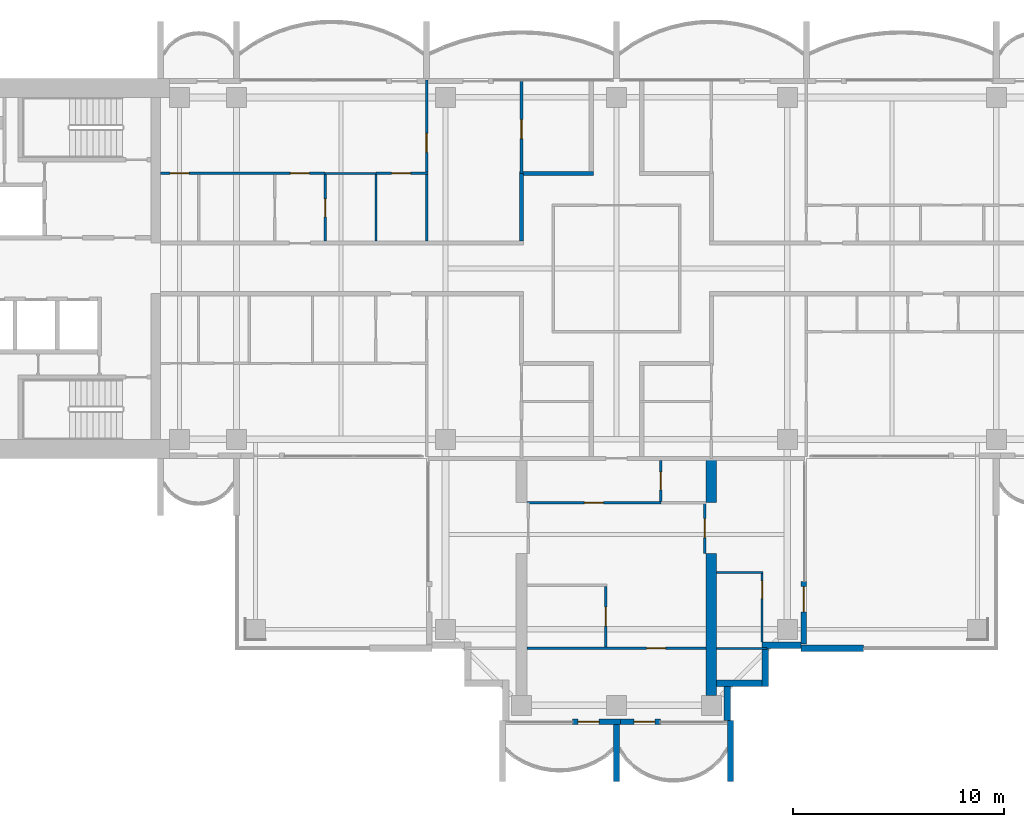
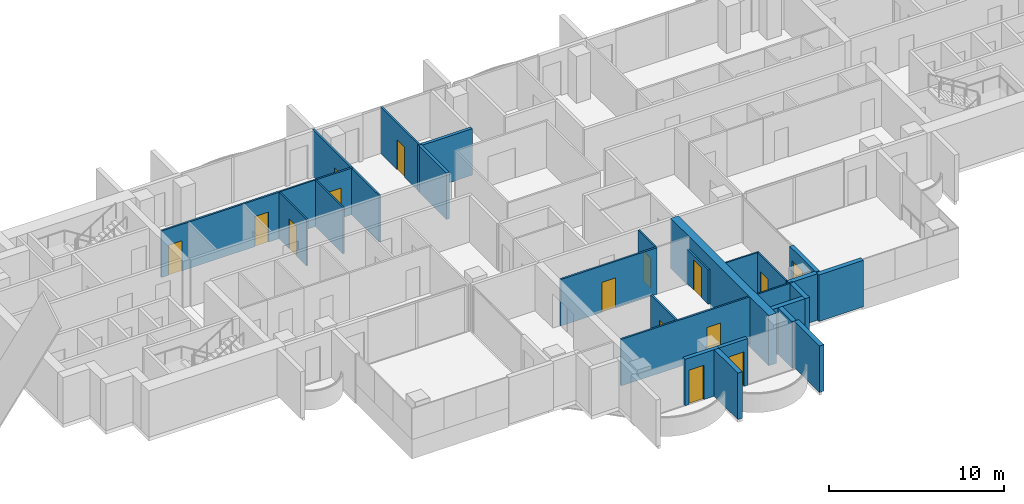
# One storey, part 10 of 17: 28 walls, 15 doors, 15 openings.
"""IFC4 building model written with IfcOpenShell, lengths in metres."""

from ifc_helpers import new_model, si_unit, direction, frame, frame_2d, origin, place, context, subcontext, project, spatial, polyline, rectangle, outline, extrude, material, layer, layer_set, material_profile, profile_set, type_object, element, fill, save


model = new_model("IFC4")

# Units and contexts
model_context = context("Model", 3, precision=1e-05, world=origin(), true_north=direction((0.0, 1.0)))
body_context = subcontext(model_context, "Body", "Model", "MODEL_VIEW")
ifc_project = project(units=[si_unit("LENGTHUNIT", "METRE"), si_unit("AREAUNIT", "SQUARE_METRE"), si_unit("VOLUMEUNIT", "CUBIC_METRE"), si_unit("PLANEANGLEUNIT", "RADIAN"), si_unit("MASSUNIT", "GRAM", prefix="KILO")], contexts=[model_context])

# Site, building, storey
site_placement = place(None, origin())
site = spatial("IfcSite", under=ifc_project, at=site_placement, CompositionType="ELEMENT")
building_placement = place(site_placement, origin())
building = spatial("IfcBuilding", under=site, at=building_placement, Name="Perihelion Cross Residences", CompositionType="ELEMENT")
storey_placement = place(building_placement, frame((0.0, 0.0, 191.10009765625)))
storey = spatial("IfcBuildingStorey", under=building, at=storey_placement, Name="L47", CompositionType="ELEMENT", Elevation=191.10009765625)

# Walls
ifc_material_1 = material(Name="Plasterboard partition")
ifc_layer_1 = layer(ifc_material_1, 0.199951171875)
ifc_layer_set_1 = layer_set([ifc_layer_1], Name="Apartment separation wall 200")
wall_type_1 = type_object("IfcWallType", Name="Apartment separation wall 200", PredefinedType="PARTITIONING", material=ifc_layer_set_1)
wall_1_placement = place(storey_placement, frame((-4.5, 1.300048828125, 0.0), z_axis=(0.0, 0.0, 1.0), x_axis=(0.0, 1.0, 0.0)))
element("IfcWall", 1, at=wall_1_placement, inside=storey, type_object=wall_type_1, Name="Partition L47 W014", PredefinedType="PARTITIONING", context=body_context, shape_type="SweptSolid", body=[
    extrude(rectangle(XDim=3.199951171875, YDim=0.199951171875, at=frame_2d((1.60009765625, 0.0))), origin(), (0.0, 0.0, 1.0), 3.25),
])
wall_2_placement = place(storey_placement, frame((-4.60009765625, 4.5, 0.0), z_axis=(0.0, 0.0, 1.0), x_axis=(1.0, 0.0, 0.0)))
element("IfcWall", 2, at=wall_2_placement, inside=storey, type_object=wall_type_1, Name="Partition L47 W015", PredefinedType="PARTITIONING", context=body_context, shape_type="SweptSolid", body=[
    extrude(rectangle(XDim=3.5, YDim=0.199951171875, at=frame_2d((1.75, 0.0))), origin(), (0.0, 0.0, 1.0), 3.25),
])

# Wall, opening, door
ifc_material_2 = material(Name="Concrete C30/37, bronze-clad", Category="concrete")
ifc_layer_2 = layer(ifc_material_2, 0.25)
ifc_layer_set_2 = layer_set([ifc_layer_2], Name="Bronze-clad pier wall 250")
wall_type_2 = type_object("IfcWallType", Name="Bronze-clad pier wall 250", PredefinedType="SOLIDWALL", material=ifc_layer_set_2)
wall_3_placement = place(storey_placement, frame((-2.074951171875, -21.47509765625, 0.0), z_axis=(0.0, 0.0, 1.0), x_axis=(1.0, 0.0, 0.0)))
wall_3 = element("IfcWall", 3, at=wall_3_placement, inside=storey, type_object=wall_type_2, Name="Wall FW1 L47 south tip south bay 1 pier", PredefinedType="SOLIDWALL", context=body_context, shape_type="SweptSolid", body=[
    extrude(rectangle(XDim=2.27490234375, YDim=0.25, at=frame_2d((1.137451171875, 0.0))), origin(), (0.0, 0.0, 1.0), 3.25),
])
opening_1_placement = place(wall_3_placement, frame((0.25, 0.0, 0.0)))
opening_1 = element("IfcOpeningElement", 4, at=opening_1_placement, cuts=wall_3, Name="Opening L47.E10", PredefinedType="OPENING", context=body_context, shape_type="SweptSolid", body=[
    extrude(rectangle(XDim=1.0, YDim=2.39990234375, at=frame_2d((0.5, 1.199951171875))), frame((0.0, 0.135009765625, 0.0), z_axis=(0.0, -1.0, 0.0), x_axis=(1.0, 0.0, 0.0)), (0.0, 0.0, 1.0), 0.27001953125),
])
ifc_material_3 = material(Name="Bronze anodised aluminium, glazed", Category="aluminium")
door_type_1 = type_object("IfcDoorType", Name="Balcony door 1000 x 2400", OperationType="NOTDEFINED", PredefinedType="DOOR", material=ifc_material_3)
door_1_placement = place(opening_1_placement, origin())
door_1 = element("IfcDoor", 5, at=door_1_placement, inside=storey, type_object=door_type_1, Name="Door L47.E10 south tip south bay 1", OperationType="SINGLE_SWING_RIGHT", OverallHeight=2.39990234375, OverallWidth=1.0, PredefinedType="DOOR", context=body_context, shape_type="SweptSolid", body=[
    extrude(rectangle(XDim=1.0, YDim=2.39990234375, at=frame_2d((0.5, 1.199951171875))), frame((0.0, 0.02490234375, 0.0), z_axis=(0.0, -1.0, 0.0), x_axis=(1.0, 0.0, 0.0)), (0.0, 0.0, 1.0), 0.050048828125),
])
fill(opening_1, door_1)

wall_4_placement = place(storey_placement, frame((0.199951171875, -21.47509765625, 0.0), z_axis=(0.0, 0.0, 1.0), x_axis=(1.0, 0.0, 0.0)))
wall_4 = element("IfcWall", 6, at=wall_4_placement, inside=storey, type_object=wall_type_2, Name="Wall FW1 L47 south tip south bay 2 pier", PredefinedType="SOLIDWALL", context=body_context, shape_type="SweptSolid", body=[
    extrude(rectangle(XDim=1.875, YDim=0.25, at=frame_2d((0.9375, 0.0))), origin(), (0.0, 0.0, 1.0), 3.25),
])
opening_2_placement = place(wall_4_placement, frame((0.625, 0.0, 0.0)))
opening_2 = element("IfcOpeningElement", 7, at=opening_2_placement, cuts=wall_4, Name="Opening L47.E11", PredefinedType="OPENING", context=body_context, shape_type="SweptSolid", body=[
    extrude(rectangle(XDim=1.0, YDim=2.39990234375, at=frame_2d((0.5, 1.199951171875))), frame((0.0, 0.135009765625, 0.0), z_axis=(0.0, -1.0, 0.0), x_axis=(1.0, 0.0, 0.0)), (0.0, 0.0, 1.0), 0.27001953125),
])
door_2_placement = place(opening_2_placement, origin())
door_2 = element("IfcDoor", 8, at=door_2_placement, inside=storey, type_object=door_type_1, Name="Door L47.E11 south tip south bay 2", OperationType="SINGLE_SWING_LEFT", OverallHeight=2.39990234375, OverallWidth=1.0, PredefinedType="DOOR", context=body_context, shape_type="SweptSolid", body=[
    extrude(rectangle(XDim=1.0, YDim=2.39990234375, at=frame_2d((0.5, 1.199951171875))), frame((0.0, 0.02490234375, 0.0), z_axis=(0.0, -1.0, 0.0), x_axis=(1.0, 0.0, 0.0)), (0.0, 0.0, 1.0), 0.050048828125),
])
fill(opening_2, door_2)

wall_5_placement = place(storey_placement, frame((8.875, -17.800048828125, 0.0), z_axis=(0.0, 0.0, 1.0), x_axis=(0.0, 1.0, 0.0)))
wall_5 = element("IfcWall", 9, at=wall_5_placement, inside=storey, type_object=wall_type_2, Name="Wall FW1 L47 south side east bay 1 pier", PredefinedType="SOLIDWALL", context=body_context, shape_type="SweptSolid", body=[
    extrude(rectangle(XDim=2.97509765625, YDim=0.25, at=frame_2d((1.487548828125, 0.0))), origin(), (0.0, 0.0, 1.0), 3.25),
])
opening_3_placement = place(wall_5_placement, frame((1.52490234375, 0.0, 0.0)))
opening_3 = element("IfcOpeningElement", 10, at=opening_3_placement, cuts=wall_5, Name="Opening L47.E12", PredefinedType="OPENING", context=body_context, shape_type="SweptSolid", body=[
    extrude(rectangle(XDim=1.199951171875, YDim=2.39990234375, at=frame_2d((0.60009765625, 1.199951171875))), frame((0.0, 0.135009765625, 0.0), z_axis=(0.0, -1.0, 0.0), x_axis=(1.0, 0.0, 0.0)), (0.0, 0.0, 1.0), 0.27001953125),
])
ifc_material_4 = material(Name="Bronze anodised aluminium, glazed", Category="aluminium")
door_type_2 = type_object("IfcDoorType", Name="Balcony door 1200 x 2400", OperationType="NOTDEFINED", PredefinedType="DOOR", material=ifc_material_4)
door_3_placement = place(opening_3_placement, origin())
door_3 = element("IfcDoor", 11, at=door_3_placement, inside=storey, type_object=door_type_2, Name="Door L47.E12 south side east bay 1", OperationType="SINGLE_SWING_RIGHT", OverallHeight=2.39990234375, OverallWidth=1.199951171875, PredefinedType="DOOR", context=body_context, shape_type="SweptSolid", body=[
    extrude(rectangle(XDim=1.199951171875, YDim=2.39990234375, at=frame_2d((0.60009765625, 1.199951171875))), frame((0.0, 0.02490234375, 0.0), z_axis=(0.0, -1.0, 0.0), x_axis=(1.0, 0.0, 0.0)), (0.0, 0.0, 1.0), 0.050048828125),
])
fill(opening_3, door_3)

# Walls
ifc_material_5 = material(Name="Concrete C30/37, bronze-clad", Category="concrete")
ifc_layer_3 = layer(ifc_material_5, 0.300048828125)
ifc_layer_set_3 = layer_set([ifc_layer_3], Name="Bronze-clad serration wall 300")
wall_type_3 = type_object("IfcWallType", Name="Bronze-clad serration wall 300", PredefinedType="SOLIDWALL", material=ifc_layer_set_3)
wall_6_placement = place(storey_placement, frame((5.25, -21.419921875, 0.0), z_axis=(0.0, 0.0, 1.0), x_axis=(0.0, 1.0, 0.0)))
element("IfcWall", 12, at=wall_6_placement, inside=storey, type_object=wall_type_3, Name="Wall SR1 L47 south corner south-east 1", PredefinedType="SOLIDWALL", context=body_context, shape_type="SweptSolid", body=[
    extrude(rectangle(XDim=1.619873046875, YDim=0.300048828125, at=frame_2d((0.81005859375, 0.0))), origin(), (0.0, 0.0, 1.0), 3.25),
])
wall_7_placement = place(storey_placement, frame((4.75, -19.64990234375, 0.0), z_axis=(0.0, 0.0, 1.0), x_axis=(1.0, 0.0, 0.0)))
element("IfcWall", 13, at=wall_7_placement, inside=storey, type_object=wall_type_3, Name="Wall SR1 L47 south corner south-east 2", PredefinedType="SOLIDWALL", context=body_context, shape_type="SweptSolid", body=[
    extrude(rectangle(XDim=2.14990234375, YDim=0.300048828125, at=frame_2d((1.074951171875, 0.0))), origin(), (0.0, 0.0, 1.0), 3.25),
])
wall_8_placement = place(storey_placement, frame((7.050048828125, -19.800048828125, 0.0), z_axis=(0.0, 0.0, 1.0), x_axis=(0.0, 1.0, 0.0)))
element("IfcWall", 14, at=wall_8_placement, inside=storey, type_object=wall_type_3, Name="Wall SR1 L47 south corner south-east 3", PredefinedType="SOLIDWALL", context=body_context, shape_type="SweptSolid", body=[
    extrude(rectangle(XDim=1.800048828125, YDim=0.300048828125, at=frame_2d((0.89990234375, 0.0))), origin(), (0.0, 0.0, 1.0), 3.25),
])
wall_9_placement = place(storey_placement, frame((6.89990234375, -17.85009765625, 0.0), z_axis=(0.0, 0.0, 1.0), x_axis=(1.0, 0.0, 0.0)))
element("IfcWall", 15, at=wall_9_placement, inside=storey, type_object=wall_type_3, Name="Wall SR1 L47 south corner south-east 4", PredefinedType="SOLIDWALL", context=body_context, shape_type="SweptSolid", body=[
    extrude(rectangle(XDim=1.85009765625, YDim=0.300048828125, at=frame_2d((0.925048828125, 0.0))), origin(), (0.0, 0.0, 1.0), 3.25),
])

# Wall, opening, door
ifc_material_6 = material(Name="Plasterboard partition")
ifc_layer_4 = layer(ifc_material_6, 0.1201171875)
ifc_layer_set_4 = layer_set([ifc_layer_4], Name="Infill panel 120")
wall_type_4 = type_object("IfcWallType", Name="Infill panel 120", PredefinedType="PARTITIONING", material=ifc_layer_set_4)
wall_10_placement = place(storey_placement, frame((4.18994140625, -11.10009765625, 0.0), z_axis=(0.0, 0.0, 1.0), x_axis=(0.0, -1.0, 0.0)))
wall_10 = element("IfcWall", 16, at=wall_10_placement, inside=storey, type_object=wall_type_4, Name="Partition L47 WI01", PredefinedType="PARTITIONING", context=body_context, shape_type="SweptSolid", body=[
    extrude(rectangle(XDim=2.39990234375, YDim=0.1201171875, at=frame_2d((1.199951171875, 0.0))), origin(), (0.0, 0.0, 1.0), 2.39990234375),
])
opening_4_placement = place(wall_10_placement, frame((0.75, 0.0, 0.0)))
opening_4 = element("IfcOpeningElement", 17, at=opening_4_placement, cuts=wall_10, Name="Opening L47.A42", PredefinedType="OPENING", context=body_context, shape_type="SweptSolid", body=[
    extrude(rectangle(XDim=0.89990234375, YDim=2.10009765625, at=frame_2d((0.449951171875, 1.050048828125))), frame((0.0, 0.070068359375, 0.0), z_axis=(0.0, -1.0, 0.0), x_axis=(1.0, 0.0, 0.0)), (0.0, 0.0, 1.0), 0.14013671875),
])
ifc_material_7 = material(Name="Timber door leaf", Category="wood")
door_type_3 = type_object("IfcDoorType", Name="Interior room door 900 x 2100", OperationType="SINGLE_SWING_LEFT", PredefinedType="DOOR", material=ifc_material_7)
door_4_placement = place(opening_4_placement, origin())
door_4 = element("IfcDoor", 18, at=door_4_placement, inside=storey, type_object=door_type_3, Name="Door L47.A42", OperationType="SINGLE_SWING_LEFT", OverallHeight=2.10009765625, OverallWidth=0.89990234375, PredefinedType="DOOR", context=body_context, shape_type="SweptSolid", body=[
    extrude(rectangle(XDim=0.89990234375, YDim=2.10009765625, at=frame_2d((0.449951171875, 1.050048828125))), frame((0.0, 0.02490234375, 0.0), z_axis=(0.0, -1.0, 0.0), x_axis=(1.0, 0.0, 0.0)), (0.0, 0.0, 1.0), 0.050048828125),
])
fill(opening_4, door_4)

ifc_material_8 = material(Name="Plasterboard partition")
ifc_layer_5 = layer(ifc_material_8, 0.1201171875)
ifc_layer_set_5 = layer_set([ifc_layer_5], Name="Partition wall 120")
wall_type_5 = type_object("IfcWallType", Name="Partition wall 120", PredefinedType="PARTITIONING", material=ifc_layer_set_5)
wall_11_placement = place(storey_placement, frame((-11.39990234375, 4.5, 0.0), z_axis=(0.0, 0.0, 1.0), x_axis=(1.0, 0.0, 0.0)))
wall_11 = element("IfcWall", 19, at=wall_11_placement, inside=storey, type_object=wall_type_5, Name="Partition L47 W044", PredefinedType="PARTITIONING", context=body_context, shape_type="SweptSolid", body=[
    extrude(rectangle(XDim=2.4599609375, YDim=0.1201171875, at=frame_2d((1.22998046875, 0.0))), origin(), (0.0, 0.0, 1.0), 3.25),
])
opening_5_placement = place(wall_11_placement, frame((0.75, 0.0, 0.0)))
opening_5 = element("IfcOpeningElement", 20, at=opening_5_placement, cuts=wall_11, Name="Opening L47.A23", PredefinedType="OPENING", context=body_context, shape_type="SweptSolid", body=[
    extrude(rectangle(XDim=0.89990234375, YDim=2.10009765625, at=frame_2d((0.449951171875, 1.050048828125))), frame((0.0, 0.070068359375, 0.0), z_axis=(0.0, -1.0, 0.0), x_axis=(1.0, 0.0, 0.0)), (0.0, 0.0, 1.0), 0.14013671875),
])
door_5_placement = place(opening_5_placement, origin())
door_5 = element("IfcDoor", 21, at=door_5_placement, inside=storey, type_object=door_type_3, Name="Door L47.A23", OperationType="SINGLE_SWING_RIGHT", OverallHeight=2.10009765625, OverallWidth=0.89990234375, PredefinedType="DOOR", context=body_context, shape_type="SweptSolid", body=[
    extrude(rectangle(XDim=0.89990234375, YDim=2.10009765625, at=frame_2d((0.449951171875, 1.050048828125))), frame((0.0, 0.02490234375, 0.0), z_axis=(0.0, -1.0, 0.0), x_axis=(1.0, 0.0, 0.0)), (0.0, 0.0, 1.0), 0.050048828125),
])
fill(opening_5, door_5)

wall_12_placement = place(storey_placement, frame((-9.0, 8.919921875, 0.0), z_axis=(0.0, 0.0, 1.0), x_axis=(0.0, -1.0, 0.0)))
wall_12 = element("IfcWall", 22, at=wall_12_placement, inside=storey, type_object=wall_type_5, Name="Partition L47 W045", PredefinedType="PARTITIONING", context=body_context, shape_type="SweptSolid", body=[
    extrude(rectangle(XDim=7.619873046875, YDim=0.1201171875, at=frame_2d((3.81005859375, 0.0))), origin(), (0.0, 0.0, 1.0), 3.25),
])
opening_6_placement = place(wall_12_placement, frame((2.52001953125, 0.0, 0.0)))
opening_6 = element("IfcOpeningElement", 23, at=opening_6_placement, cuts=wall_12, Name="Opening L47.A22", PredefinedType="OPENING", context=body_context, shape_type="SweptSolid", body=[
    extrude(rectangle(XDim=0.89990234375, YDim=2.10009765625, at=frame_2d((0.449951171875, 1.050048828125))), frame((0.0, 0.070068359375, 0.0), z_axis=(0.0, -1.0, 0.0), x_axis=(1.0, 0.0, 0.0)), (0.0, 0.0, 1.0), 0.14013671875),
])
door_6_placement = place(opening_6_placement, origin())
door_6 = element("IfcDoor", 24, at=door_6_placement, inside=storey, type_object=door_type_3, Name="Door L47.A22", OperationType="SINGLE_SWING_RIGHT", OverallHeight=2.10009765625, OverallWidth=0.89990234375, PredefinedType="DOOR", context=body_context, shape_type="SweptSolid", body=[
    extrude(rectangle(XDim=0.89990234375, YDim=2.10009765625, at=frame_2d((0.449951171875, 1.050048828125))), frame((0.0, 0.02490234375, 0.0), z_axis=(0.0, -1.0, 0.0), x_axis=(1.0, 0.0, 0.0)), (0.0, 0.0, 1.0), 0.050048828125),
])
fill(opening_6, door_6)

# Wall, openings, doors
wall_13_placement = place(storey_placement, frame((-21.60009765625, 4.5, 0.0), z_axis=(0.0, 0.0, 1.0), x_axis=(1.0, 0.0, 0.0)))
wall_13 = element("IfcWall", 25, at=wall_13_placement, inside=storey, type_object=wall_type_5, Name="Partition L47 W049", PredefinedType="PARTITIONING", context=body_context, shape_type="SweptSolid", body=[
    extrude(rectangle(XDim=7.800048828125, YDim=0.1201171875, at=frame_2d((3.89990234375, 0.0))), origin(), (0.0, 0.0, 1.0), 3.25),
])
opening_7_placement = place(wall_13_placement, frame((0.449951171875, 0.0, 0.0)))
opening_7 = element("IfcOpeningElement", 26, at=opening_7_placement, cuts=wall_13, Name="Opening L47.A20", PredefinedType="OPENING", context=body_context, shape_type="SweptSolid", body=[
    extrude(rectangle(XDim=0.89990234375, YDim=2.10009765625, at=frame_2d((0.449951171875, 1.050048828125))), frame((0.0, 0.070068359375, 0.0), z_axis=(0.0, -1.0, 0.0), x_axis=(1.0, 0.0, 0.0)), (0.0, 0.0, 1.0), 0.14013671875),
])
opening_8_placement = place(wall_13_placement, frame((6.14990234375, 0.0, 0.0)))
opening_8 = element("IfcOpeningElement", 27, at=opening_8_placement, cuts=wall_13, Name="Opening L47.A21", PredefinedType="OPENING", context=body_context, shape_type="SweptSolid", body=[
    extrude(rectangle(XDim=0.89990234375, YDim=2.10009765625, at=frame_2d((0.449951171875, 1.050048828125))), frame((0.0, 0.070068359375, 0.0), z_axis=(0.0, -1.0, 0.0), x_axis=(1.0, 0.0, 0.0)), (0.0, 0.0, 1.0), 0.14013671875),
])
door_7_placement = place(opening_7_placement, origin())
door_7 = element("IfcDoor", 28, at=door_7_placement, inside=storey, type_object=door_type_3, Name="Door L47.A20", OperationType="SINGLE_SWING_RIGHT", OverallHeight=2.10009765625, OverallWidth=0.89990234375, PredefinedType="DOOR", context=body_context, shape_type="SweptSolid", body=[
    extrude(rectangle(XDim=0.89990234375, YDim=2.10009765625, at=frame_2d((0.449951171875, 1.050048828125))), frame((0.0, 0.02490234375, 0.0), z_axis=(0.0, -1.0, 0.0), x_axis=(1.0, 0.0, 0.0)), (0.0, 0.0, 1.0), 0.050048828125),
])
fill(opening_7, door_7)
door_8_placement = place(opening_8_placement, origin())
door_8 = element("IfcDoor", 29, at=door_8_placement, inside=storey, type_object=door_type_3, Name="Door L47.A21", OperationType="SINGLE_SWING_LEFT", OverallHeight=2.10009765625, OverallWidth=0.89990234375, PredefinedType="DOOR", context=body_context, shape_type="SweptSolid", body=[
    extrude(rectangle(XDim=0.89990234375, YDim=2.10009765625, at=frame_2d((0.449951171875, 1.050048828125))), frame((0.0, 0.02490234375, 0.0), z_axis=(0.0, -1.0, 0.0), x_axis=(1.0, 0.0, 0.0)), (0.0, 0.0, 1.0), 0.050048828125),
])
fill(opening_8, door_8)

# Wall, opening, door
wall_14_placement = place(storey_placement, frame((-4.5, 8.919921875, 0.0), z_axis=(0.0, 0.0, 1.0), x_axis=(0.0, -1.0, 0.0)))
wall_14 = element("IfcWall", 30, at=wall_14_placement, inside=storey, type_object=wall_type_5, Name="Partition L47 W051", PredefinedType="PARTITIONING", context=body_context, shape_type="SweptSolid", body=[
    extrude(rectangle(XDim=4.419921875, YDim=0.1201171875, at=frame_2d((2.2099609375, 0.0))), origin(), (0.0, 0.0, 1.0), 3.25),
])
opening_9_placement = place(wall_14_placement, frame((1.8701171875, 0.0, 0.0)))
opening_9 = element("IfcOpeningElement", 31, at=opening_9_placement, cuts=wall_14, Name="Opening L47.A18", PredefinedType="OPENING", context=body_context, shape_type="SweptSolid", body=[
    extrude(rectangle(XDim=0.89990234375, YDim=2.10009765625, at=frame_2d((0.449951171875, 1.050048828125))), frame((0.0, 0.070068359375, 0.0), z_axis=(0.0, -1.0, 0.0), x_axis=(1.0, 0.0, 0.0)), (0.0, 0.0, 1.0), 0.14013671875),
])
door_9_placement = place(opening_9_placement, origin())
door_9 = element("IfcDoor", 32, at=door_9_placement, inside=storey, type_object=door_type_3, Name="Door L47.A18", OperationType="SINGLE_SWING_RIGHT", OverallHeight=2.10009765625, OverallWidth=0.89990234375, PredefinedType="DOOR", context=body_context, shape_type="SweptSolid", body=[
    extrude(rectangle(XDim=0.89990234375, YDim=2.10009765625, at=frame_2d((0.449951171875, 1.050048828125))), frame((0.0, 0.02490234375, 0.0), z_axis=(0.0, -1.0, 0.0), x_axis=(1.0, 0.0, 0.0)), (0.0, 0.0, 1.0), 0.050048828125),
])
fill(opening_9, door_9)

wall_15_placement = place(storey_placement, frame((2.10009765625, -11.10009765625, 0.0), z_axis=(0.0, 0.0, 1.0), x_axis=(-1.0, 0.0, 0.0)))
wall_15 = element("IfcWall", 33, at=wall_15_placement, inside=storey, type_object=wall_type_5, Name="Partition L47 W065", PredefinedType="PARTITIONING", context=body_context, shape_type="SweptSolid", body=[
    extrude(rectangle(XDim=6.35009765625, YDim=0.1201171875, at=frame_2d((3.175048828125, 0.0))), origin(), (0.0, 0.0, 1.0), 3.25),
])
opening_10_placement = place(wall_15_placement, frame((2.72509765625, 0.0, 0.0)))
opening_10 = element("IfcOpeningElement", 34, at=opening_10_placement, cuts=wall_15, Name="Opening L47.A34", PredefinedType="OPENING", context=body_context, shape_type="SweptSolid", body=[
    extrude(rectangle(XDim=0.89990234375, YDim=2.10009765625, at=frame_2d((0.449951171875, 1.050048828125))), frame((0.0, 0.070068359375, 0.0), z_axis=(0.0, -1.0, 0.0), x_axis=(1.0, 0.0, 0.0)), (0.0, 0.0, 1.0), 0.14013671875),
])
door_10_placement = place(opening_10_placement, origin())
door_10 = element("IfcDoor", 35, at=door_10_placement, inside=storey, type_object=door_type_3, Name="Door L47.A34", OperationType="SINGLE_SWING_RIGHT", OverallHeight=2.10009765625, OverallWidth=0.89990234375, PredefinedType="DOOR", context=body_context, shape_type="SweptSolid", body=[
    extrude(rectangle(XDim=0.89990234375, YDim=2.10009765625, at=frame_2d((0.449951171875, 1.050048828125))), frame((0.0, 0.02490234375, 0.0), z_axis=(0.0, -1.0, 0.0), x_axis=(1.0, 0.0, 0.0)), (0.0, 0.0, 1.0), 0.050048828125),
])
fill(opening_10, door_10)

wall_16_placement = place(storey_placement, frame((-0.5, -17.93994140625, 0.0), z_axis=(0.0, 0.0, 1.0), x_axis=(0.0, 1.0, 0.0)))
wall_16 = element("IfcWall", 36, at=wall_16_placement, inside=storey, type_object=wall_type_5, Name="Partition L47 W067", PredefinedType="PARTITIONING", context=body_context, shape_type="SweptSolid", body=[
    extrude(rectangle(XDim=2.8798828125, YDim=0.1201171875, at=frame_2d((1.43994140625, 0.0))), origin(), (0.0, 0.0, 1.0), 3.25),
])
opening_11_placement = place(wall_16_placement, frame((0.989990234375, 0.0, 0.0)))
opening_11 = element("IfcOpeningElement", 37, at=opening_11_placement, cuts=wall_16, Name="Opening L47.A35", PredefinedType="OPENING", context=body_context, shape_type="SweptSolid", body=[
    extrude(rectangle(XDim=0.89990234375, YDim=2.10009765625, at=frame_2d((0.449951171875, 1.050048828125))), frame((0.0, 0.070068359375, 0.0), z_axis=(0.0, -1.0, 0.0), x_axis=(1.0, 0.0, 0.0)), (0.0, 0.0, 1.0), 0.14013671875),
])
door_11_placement = place(opening_11_placement, origin())
door_11 = element("IfcDoor", 38, at=door_11_placement, inside=storey, type_object=door_type_3, Name="Door L47.A35", OperationType="SINGLE_SWING_LEFT", OverallHeight=2.10009765625, OverallWidth=0.89990234375, PredefinedType="DOOR", context=body_context, shape_type="SweptSolid", body=[
    extrude(rectangle(XDim=0.89990234375, YDim=2.10009765625, at=frame_2d((0.449951171875, 1.050048828125))), frame((0.0, 0.02490234375, 0.0), z_axis=(0.0, -1.0, 0.0), x_axis=(1.0, 0.0, 0.0)), (0.0, 0.0, 1.0), 0.050048828125),
])
fill(opening_11, door_11)

wall_17_placement = place(storey_placement, frame((4.25, -18.0, 0.0), z_axis=(0.0, 0.0, 1.0), x_axis=(-1.0, 0.0, 0.0)))
wall_17 = element("IfcWall", 39, at=wall_17_placement, inside=storey, type_object=wall_type_5, Name="Partition L47 W069", PredefinedType="PARTITIONING", context=body_context, shape_type="SweptSolid", body=[
    extrude(rectangle(XDim=8.5, YDim=0.1201171875, at=frame_2d((4.25, 0.0))), origin(), (0.0, 0.0, 1.0), 3.25),
])
opening_12_placement = place(wall_17_placement, frame((1.925048828125, 0.0, 0.0)))
opening_12 = element("IfcOpeningElement", 40, at=opening_12_placement, cuts=wall_17, Name="Opening L47.A36", PredefinedType="OPENING", context=body_context, shape_type="SweptSolid", body=[
    extrude(rectangle(XDim=0.89990234375, YDim=2.10009765625, at=frame_2d((0.449951171875, 1.050048828125))), frame((0.0, 0.070068359375, 0.0), z_axis=(0.0, -1.0, 0.0), x_axis=(1.0, 0.0, 0.0)), (0.0, 0.0, 1.0), 0.14013671875),
])
door_12_placement = place(opening_12_placement, origin())
door_12 = element("IfcDoor", 41, at=door_12_placement, inside=storey, type_object=door_type_3, Name="Door L47.A36", OperationType="SINGLE_SWING_LEFT", OverallHeight=2.10009765625, OverallWidth=0.89990234375, PredefinedType="DOOR", context=body_context, shape_type="SweptSolid", body=[
    extrude(rectangle(XDim=0.89990234375, YDim=2.10009765625, at=frame_2d((0.449951171875, 1.050048828125))), frame((0.0, 0.02490234375, 0.0), z_axis=(0.0, -1.0, 0.0), x_axis=(1.0, 0.0, 0.0)), (0.0, 0.0, 1.0), 0.050048828125),
])
fill(opening_12, door_12)

# Walls
ifc_material_9 = material(Name="Precast concrete C50/60", Category="concrete")
ifc_layer_6 = layer(ifc_material_9, 0.300048828125)
ifc_layer_set_6 = layer_set([ifc_layer_6], Name="Precast concrete C50/60 blade wall 300")
wall_type_6 = type_object("IfcWallType", Name="Precast concrete C50/60 blade wall 300", PredefinedType="SOLIDWALL", material=ifc_layer_set_6)
wall_18_placement = place(storey_placement, frame((0.0, -21.60009765625, 0.0), z_axis=(0.0, 0.0, 1.0), x_axis=(0.0, -1.0, 0.0)))
element("IfcWall", 42, at=wall_18_placement, inside=storey, type_object=wall_type_6, Name="Wall BL1 L47 no. 8", PredefinedType="SOLIDWALL", context=body_context, shape_type="SweptSolid", body=[
    extrude(rectangle(XDim=2.699951171875, YDim=0.300048828125, at=frame_2d((1.35009765625, 0.0))), origin(), (0.0, 0.0, 1.0), 3.25),
])
wall_19_placement = place(storey_placement, frame((5.39990234375, -21.419921875, 0.0), z_axis=(0.0, 0.0, 1.0), x_axis=(0.0, -1.0, 0.0)))
element("IfcWall", 43, at=wall_19_placement, inside=storey, type_object=wall_type_6, Name="Wall BL1 L47 no. 14", PredefinedType="SOLIDWALL", context=body_context, shape_type="SweptSolid", body=[
    extrude(rectangle(XDim=2.880126953125, YDim=0.300048828125, at=frame_2d((1.43994140625, 0.0))), origin(), (0.0, 0.0, 1.0), 3.25),
])
wall_20_placement = place(storey_placement, frame((8.75, -18.0, 0.0), z_axis=(0.0, 0.0, 1.0), x_axis=(1.0, 0.0, 0.0)))
element("IfcWall", 44, at=wall_20_placement, inside=storey, type_object=wall_type_6, Name="Wall BL1 L47 no. 15", PredefinedType="SOLIDWALL", context=body_context, shape_type="SweptSolid", body=[
    extrude(rectangle(XDim=2.949951171875, YDim=0.300048828125, at=frame_2d((1.47509765625, 0.0))), origin(), (0.0, 0.0, 1.0), 3.25),
])
ifc_material_10 = material(Name="Concrete C60/75", Category="concrete")
ifc_material_profile = material_profile(ifc_material_10, outline(polyline([(0.0, 0.0), (6.72509765625, 0.0), (6.72509765625, 2.64990234375), (9.125, 2.64990234375), (9.125, 0.0), (11.22509765625, 0.0), (11.22509765625, 3.5), (0.0, 3.5), (0.0, 0.0)])), Name="Tip spine wall")
ifc_profile_set = profile_set([ifc_material_profile], Name="Concrete C60/75")
wall_type_7 = type_object("IfcWallType", Name="Tip spine wall 500 with 1 door openings 11225 long 3500 high concrete C60/75", PredefinedType="SHEAR", material=ifc_profile_set)
wall_21_placement = place(storey_placement, frame((4.25, -20.22509765625, -0.25), z_axis=(1.0, 0.0, 0.0), x_axis=(0.0, 1.0, 0.0)))
element("IfcWall", 45, at=wall_21_placement, inside=storey, type_object=wall_type_7, Name="Shear wall SW41 L47 south east", PredefinedType="SHEAR", context=body_context, shape_type="SweptSolid", body=[
    extrude(outline(polyline([(0.0, 0.0), (6.72509765625, 0.0), (6.72509765625, 2.64990234375), (9.125, 2.64990234375), (9.125, 0.0), (11.22509765625, 0.0), (11.22509765625, 3.5), (0.0, 3.5), (0.0, 0.0)])), origin(), (0.0, 0.0, 1.0), 0.5),
])
ifc_material_11 = material(Name="Plasterboard partition")
ifc_layer_7 = layer(ifc_material_11, 0.10009765625)
ifc_layer_set_7 = layer_set([ifc_layer_7], Name="Wet room wall 100")
wall_type_8 = type_object("IfcWallType", Name="Wet room wall 100", PredefinedType="PARTITIONING", material=ifc_layer_set_7)
wall_22_placement = place(storey_placement, frame((-11.39990234375, 1.300048828125, 0.0), z_axis=(0.0, 0.0, 1.0), x_axis=(0.0, 1.0, 0.0)))
element("IfcWall", 46, at=wall_22_placement, inside=storey, type_object=wall_type_8, Name="Partition L47 W043", PredefinedType="PARTITIONING", context=body_context, shape_type="SweptSolid", body=[
    extrude(rectangle(XDim=3.139892578125, YDim=0.10009765625, at=frame_2d((1.56982421875, 0.0))), origin(), (0.0, 0.0, 1.0), 3.25),
])

# Wall, opening, door
wall_23_placement = place(storey_placement, frame((-13.800048828125, 1.300048828125, 0.0), z_axis=(0.0, 0.0, 1.0), x_axis=(0.0, 1.0, 0.0)))
wall_23 = element("IfcWall", 47, at=wall_23_placement, inside=storey, type_object=wall_type_8, Name="Partition L47 W046", PredefinedType="PARTITIONING", context=body_context, shape_type="SweptSolid", body=[
    extrude(rectangle(XDim=3.139892578125, YDim=0.10009765625, at=frame_2d((1.56982421875, 0.0))), origin(), (0.0, 0.0, 1.0), 3.25),
])
opening_13_placement = place(wall_23_placement, frame((1.14501953125, 0.0, 0.0)))
opening_13 = element("IfcOpeningElement", 48, at=opening_13_placement, cuts=wall_23, Name="Opening L47.A17", PredefinedType="OPENING", context=body_context, shape_type="SweptSolid", body=[
    extrude(rectangle(XDim=0.85009765625, YDim=2.10009765625, at=frame_2d((0.425048828125, 1.050048828125))), frame((0.0, 0.06005859375, 0.0), z_axis=(0.0, -1.0, 0.0), x_axis=(1.0, 0.0, 0.0)), (0.0, 0.0, 1.0), 0.1201171875),
])
ifc_material_12 = material(Name="Timber door leaf", Category="wood")
door_type_4 = type_object("IfcDoorType", Name="Interior bathroom door 850 x 2100", OperationType="SINGLE_SWING_LEFT", PredefinedType="DOOR", material=ifc_material_12)
door_13_placement = place(opening_13_placement, origin())
door_13 = element("IfcDoor", 49, at=door_13_placement, inside=storey, type_object=door_type_4, Name="Door L47.A17", OperationType="SINGLE_SWING_RIGHT", OverallHeight=2.10009765625, OverallWidth=0.85009765625, PredefinedType="DOOR", context=body_context, shape_type="SweptSolid", body=[
    extrude(rectangle(XDim=0.85009765625, YDim=2.10009765625, at=frame_2d((0.425048828125, 1.050048828125))), frame((0.0, 0.02490234375, 0.0), z_axis=(0.0, -1.0, 0.0), x_axis=(1.0, 0.0, 0.0)), (0.0, 0.0, 1.0), 0.050048828125),
])
fill(opening_13, door_13)

# Wall
wall_24_placement = place(storey_placement, frame((-13.800048828125, 4.5, 0.0), z_axis=(0.0, 0.0, 1.0), x_axis=(1.0, 0.0, 0.0)))
element("IfcWall", 50, at=wall_24_placement, inside=storey, type_object=wall_type_8, Name="Partition L47 W047", PredefinedType="PARTITIONING", context=body_context, shape_type="SweptSolid", body=[
    extrude(rectangle(XDim=2.400146484375, YDim=0.10009765625, at=frame_2d((1.2001953125, 0.0))), origin(), (0.0, 0.0, 1.0), 3.25),
])

# Wall, opening, door
wall_25_placement = place(storey_placement, frame((2.10009765625, -9.10009765625, 0.0), z_axis=(0.0, 0.0, 1.0), x_axis=(0.0, -1.0, 0.0)))
wall_25 = element("IfcWall", 51, at=wall_25_placement, inside=storey, type_object=wall_type_8, Name="Partition L47 W064", PredefinedType="PARTITIONING", context=body_context, shape_type="SweptSolid", body=[
    extrude(rectangle(XDim=1.93994140625, YDim=0.10009765625, at=frame_2d((0.969970703125, 0.0))), origin(), (0.0, 0.0, 1.0), 3.25),
])
opening_14_placement = place(wall_25_placement, frame((0.544921875, 0.0, 0.0)))
opening_14 = element("IfcOpeningElement", 52, at=opening_14_placement, cuts=wall_25, Name="Opening L47.A33", PredefinedType="OPENING", context=body_context, shape_type="SweptSolid", body=[
    extrude(rectangle(XDim=0.85009765625, YDim=2.10009765625, at=frame_2d((0.425048828125, 1.050048828125))), frame((0.0, 0.06005859375, 0.0), z_axis=(0.0, -1.0, 0.0), x_axis=(1.0, 0.0, 0.0)), (0.0, 0.0, 1.0), 0.1201171875),
])
door_14_placement = place(opening_14_placement, origin())
door_14 = element("IfcDoor", 53, at=door_14_placement, inside=storey, type_object=door_type_4, Name="Door L47.A33", OperationType="SINGLE_SWING_LEFT", OverallHeight=2.10009765625, OverallWidth=0.85009765625, PredefinedType="DOOR", context=body_context, shape_type="SweptSolid", body=[
    extrude(rectangle(XDim=0.85009765625, YDim=2.10009765625, at=frame_2d((0.425048828125, 1.050048828125))), frame((0.0, 0.02490234375, 0.0), z_axis=(0.0, -1.0, 0.0), x_axis=(1.0, 0.0, 0.0)), (0.0, 0.0, 1.0), 0.050048828125),
])
fill(opening_14, door_14)

wall_26_placement = place(storey_placement, frame((6.89990234375, -17.699951171875, 0.0), z_axis=(0.0, 0.0, 1.0), x_axis=(0.0, 1.0, 0.0)))
wall_26 = element("IfcWall", 54, at=wall_26_placement, inside=storey, type_object=wall_type_8, Name="Partition L47 W070", PredefinedType="PARTITIONING", context=body_context, shape_type="SweptSolid", body=[
    extrude(rectangle(XDim=3.25, YDim=0.10009765625, at=frame_2d((1.625, 0.0))), origin(), (0.0, 0.0, 1.0), 3.25),
])
opening_15_placement = place(wall_26_placement, frame((2.050048828125, 0.0, 0.0)))
opening_15 = element("IfcOpeningElement", 55, at=opening_15_placement, cuts=wall_26, Name="Opening L47.A37", PredefinedType="OPENING", context=body_context, shape_type="SweptSolid", body=[
    extrude(rectangle(XDim=0.85009765625, YDim=2.10009765625, at=frame_2d((0.425048828125, 1.050048828125))), frame((0.0, 0.06005859375, 0.0), z_axis=(0.0, -1.0, 0.0), x_axis=(1.0, 0.0, 0.0)), (0.0, 0.0, 1.0), 0.1201171875),
])
door_15_placement = place(opening_15_placement, origin())
door_15 = element("IfcDoor", 56, at=door_15_placement, inside=storey, type_object=door_type_4, Name="Door L47.A37", OperationType="SINGLE_SWING_RIGHT", OverallHeight=2.10009765625, OverallWidth=0.85009765625, PredefinedType="DOOR", context=body_context, shape_type="SweptSolid", body=[
    extrude(rectangle(XDim=0.85009765625, YDim=2.10009765625, at=frame_2d((0.425048828125, 1.050048828125))), frame((0.0, 0.02490234375, 0.0), z_axis=(0.0, -1.0, 0.0), x_axis=(1.0, 0.0, 0.0)), (0.0, 0.0, 1.0), 0.050048828125),
])
fill(opening_15, door_15)

# Walls
wall_27_placement = place(storey_placement, frame((6.949951171875, -14.39990234375, 0.0), z_axis=(0.0, 0.0, 1.0), x_axis=(-1.0, 0.0, 0.0)))
element("IfcWall", 57, at=wall_27_placement, inside=storey, type_object=wall_type_8, Name="Partition L47 W071", PredefinedType="PARTITIONING", context=body_context, shape_type="SweptSolid", body=[
    extrude(rectangle(XDim=2.199951171875, YDim=0.10009765625, at=frame_2d((1.10009765625, 0.0))), origin(), (0.0, 0.0, 1.0), 3.25),
])
wall_28_placement = place(storey_placement, frame((7.1201171875, -18.0, 0.0), z_axis=(0.0, 0.0, 1.0), x_axis=(-1.0, 0.0, 0.0)))
element("IfcWall", 58, at=wall_28_placement, inside=storey, type_object=wall_type_8, Name="Partition L47 W072", PredefinedType="PARTITIONING", context=body_context, shape_type="SweptSolid", body=[
    extrude(rectangle(XDim=2.3701171875, YDim=0.10009765625, at=frame_2d((1.18505859375, 0.0))), origin(), (0.0, 0.0, 1.0), 3.25),
])

save(model, "model.ifc")
